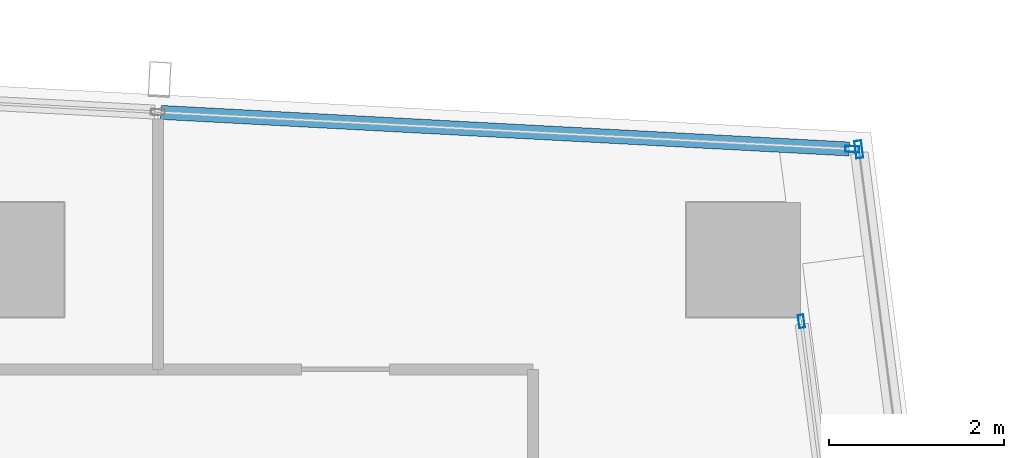
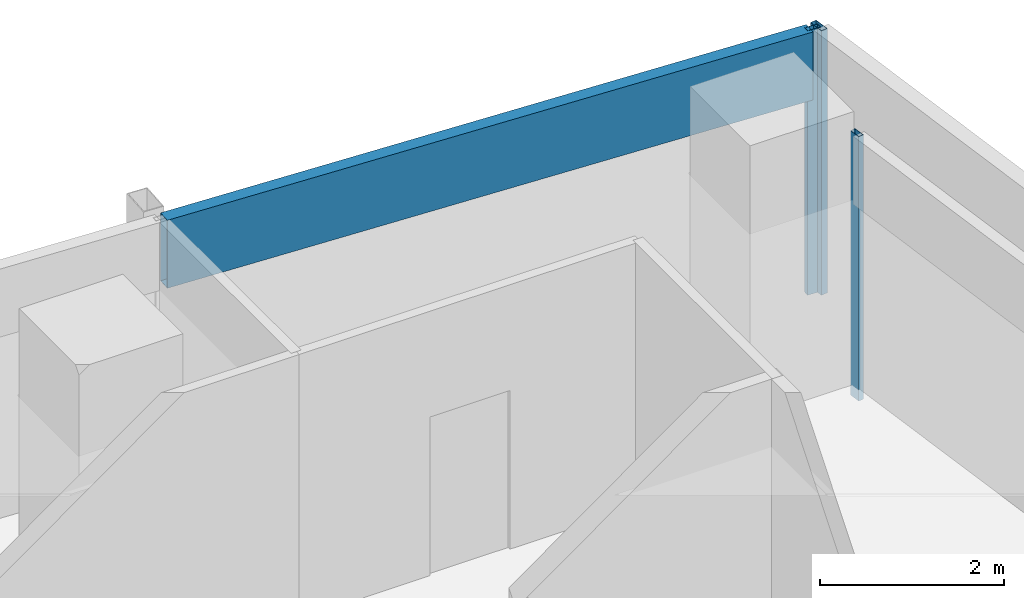
# One storey, part 20 of 29: 4 members, 3 elements without a shape of their own.
"""IFC4 building model written with IfcOpenShell, lengths in metres."""

from ifc_helpers import new_model, si_unit, direction, frame, origin, origin_2d, place, context, subcontext, project, spatial, hollow_rectangle, extrude, material, material_profile, profile_set, type_object, element, aggregate, save


model = new_model("IFC4")

# Units and contexts
model_context = context("Model", 3, precision=1e-05, world=origin(), true_north=direction((0.0, 1.0)))
body_context = subcontext(model_context, "Body", "Model", "MODEL_VIEW")
ifc_project = project(units=[si_unit("LENGTHUNIT", "METRE"), si_unit("AREAUNIT", "SQUARE_METRE"), si_unit("VOLUMEUNIT", "CUBIC_METRE"), si_unit("PLANEANGLEUNIT", "RADIAN"), si_unit("MASSUNIT", "GRAM", prefix="KILO")], contexts=[model_context])

# Site, building, storey
site_placement = place(None, origin())
site = spatial("IfcSite", under=ifc_project, at=site_placement, CompositionType="ELEMENT")
building_placement = place(site_placement, origin())
building = spatial("IfcBuilding", under=site, at=building_placement, Name="Rekha Terrace Tower", CompositionType="ELEMENT")
storey_placement = place(building_placement, frame((0.0, 0.0, 276.35009765625)))
storey = spatial("IfcBuildingStorey", under=building, at=storey_placement, Name="L70", CompositionType="ELEMENT", Elevation=276.35009765625)

# Curtain wall, member
ifc_material_1 = material(Name="Aluminium framing", Category="aluminium")
curtain_wall_type_1 = type_object("IfcCurtainWallType", Name="CW1 double skin inner glazing", PredefinedType="USERDEFINED", material=ifc_material_1)
curtain_wall_1_placement = place(storey_placement, origin())
curtain_wall_1 = element("IfcCurtainWall", 1, at=curtain_wall_1_placement, inside=storey, type_object=curtain_wall_type_1, Name="CW1 double skin inner glazing", ObjectType="DOUBLE SKIN INNER GLAZING", PredefinedType="USERDEFINED")
ifc_material_2 = material(Name="Aluminium mullion section", Category="aluminium")
ifc_material_profile_1 = material_profile(ifc_material_2, hollow_rectangle(XDim=0.06494140625, YDim=0.14990234375, WallThickness=0.00390625, at=origin_2d()), Name="AL RHS 65x150")
ifc_profile_set_1 = profile_set([ifc_material_profile_1], Name="Aluminium mullion section")
member_type_1 = type_object("IfcMemberType", Name="CW1 mullion RHS 65 x 150", PredefinedType="MULLION", material=ifc_profile_set_1)
member_1_placement = place(storey_placement, frame((59.458740234375, 49.6982421875, 0.0), z_axis=(0.0, 0.0, 1.0), x_axis=(-0.991790949472, -0.127869904766, 0.0)))
member_1 = element("IfcMember", 2, at=member_1_placement, type_object=member_type_1, Name="CW1 mullion 2", PredefinedType="MULLION", context=body_context, shape_type="SweptSolid", body=[
    extrude(hollow_rectangle(XDim=0.06494140625, YDim=0.14990234375, WallThickness=0.00390625, at=origin_2d()), origin(), (0.0, 0.0, 1.0), 3.5),
])
aggregate(curtain_wall_1, [member_1])

curtain_wall_type_2 = type_object("IfcCurtainWallType", Name="CW2 double skin outer glazing", PredefinedType="USERDEFINED", material=ifc_material_1)
curtain_wall_2_placement = place(storey_placement, origin())
curtain_wall_2 = element("IfcCurtainWall", 3, at=curtain_wall_2_placement, inside=storey, type_object=curtain_wall_type_2, Name="CW2 double skin outer glazing", ObjectType="DOUBLE SKIN OUTER GLAZING", PredefinedType="USERDEFINED")
ifc_material_profile_2 = material_profile(ifc_material_2, hollow_rectangle(XDim=0.080078125, YDim=0.199951171875, WallThickness=0.00390625, at=origin_2d()), Name="AL RHS 80x200")
ifc_profile_set_2 = profile_set([ifc_material_profile_2], Name="Aluminium mullion section")
member_type_2 = type_object("IfcMemberType", Name="CW2 mullion RHS 80 x 200", PredefinedType="MULLION", material=ifc_profile_set_2)
member_2_placement = place(storey_placement, frame((60.113525390625, 51.65771484375, 0.0), z_axis=(0.0, 0.0, 1.0), x_axis=(-0.991790949459, -0.12786990487, 0.0)))
member_2 = element("IfcMember", 4, at=member_2_placement, type_object=member_type_2, Name="CW2 mullion 2", PredefinedType="MULLION", context=body_context, shape_type="SweptSolid", body=[
    extrude(hollow_rectangle(XDim=0.080078125, YDim=0.199951171875, WallThickness=0.00390625, at=origin_2d()), origin(), (0.0, 0.0, 1.0), 3.5),
])
aggregate(curtain_wall_2, [member_2])

# Curtain wall, members
curtain_wall_type_3 = type_object("IfcCurtainWallType", Name="CW3 north unitised glazing", PredefinedType="USERDEFINED", material=ifc_material_1)
curtain_wall_3_placement = place(storey_placement, origin())
curtain_wall_3 = element("IfcCurtainWall", 5, at=curtain_wall_3_placement, inside=storey, type_object=curtain_wall_type_3, Name="CW3 unitised curtain wall", ObjectType="UNITISED CURTAIN WALL", PredefinedType="USERDEFINED")
ifc_material_profile_3 = material_profile(ifc_material_2, hollow_rectangle(XDim=0.070068359375, YDim=0.159912109375, WallThickness=0.00390625, at=origin_2d()), Name="AL RHS 70x160")
ifc_profile_set_3 = profile_set([ifc_material_profile_3], Name="Aluminium mullion section")
member_type_3 = type_object("IfcMemberType", Name="CW3 mullion RHS 70 x 160", PredefinedType="MULLION", material=ifc_profile_set_3)
member_3_placement = place(storey_placement, frame((60.0380859375, 51.660888671875, 0.0), z_axis=(0.0, 0.0, 1.0), x_axis=(-0.053083275524, -0.998590089005, 0.0)))
member_3 = element("IfcMember", 6, at=member_3_placement, type_object=member_type_3, Name="CW3 mullion 1", PredefinedType="MULLION", context=body_context, shape_type="SweptSolid", body=[
    extrude(hollow_rectangle(XDim=0.070068359375, YDim=0.159912109375, WallThickness=0.00390625, at=origin_2d()), origin(), (0.0, 0.0, 1.0), 3.5),
])
ifc_material_3 = material(Name="Insulated aluminium spandrel box", Category="aluminium")
ifc_material_profile_4 = material_profile(ifc_material_3, hollow_rectangle(XDim=0.159912109375, YDim=0.89990234375, WallThickness=0.0029296875, at=origin_2d()), Name="AL SPANDREL BOX 160x900")
ifc_profile_set_4 = profile_set([ifc_material_profile_4], Name="Insulated aluminium spandrel box")
member_type_4 = type_object("IfcMemberType", Name="CW3 spandrel transom 160 x 900", PredefinedType="USERDEFINED", material=ifc_profile_set_4)
member_4_placement = place(storey_placement, frame((60.003173828125, 51.662841796875, 3.0498046875), z_axis=(-0.99859048353, 0.053075853302, 0.0), x_axis=(-0.053075853302, -0.99859048353, 0.0)))
member_4 = element("IfcMember", 7, at=member_4_placement, type_object=member_type_4, Name="CW3 spandrel transom 1", ObjectType="TRANSOM", PredefinedType="USERDEFINED", context=body_context, shape_type="SweptSolid", body=[
    extrude(hollow_rectangle(XDim=0.159912109375, YDim=0.89990234375, WallThickness=0.0029296875, at=origin_2d()), origin(), (0.0, 0.0, 1.0), 7.8564453125),
])
aggregate(curtain_wall_3, [member_3, member_4])

save(model, "model.ifc")
